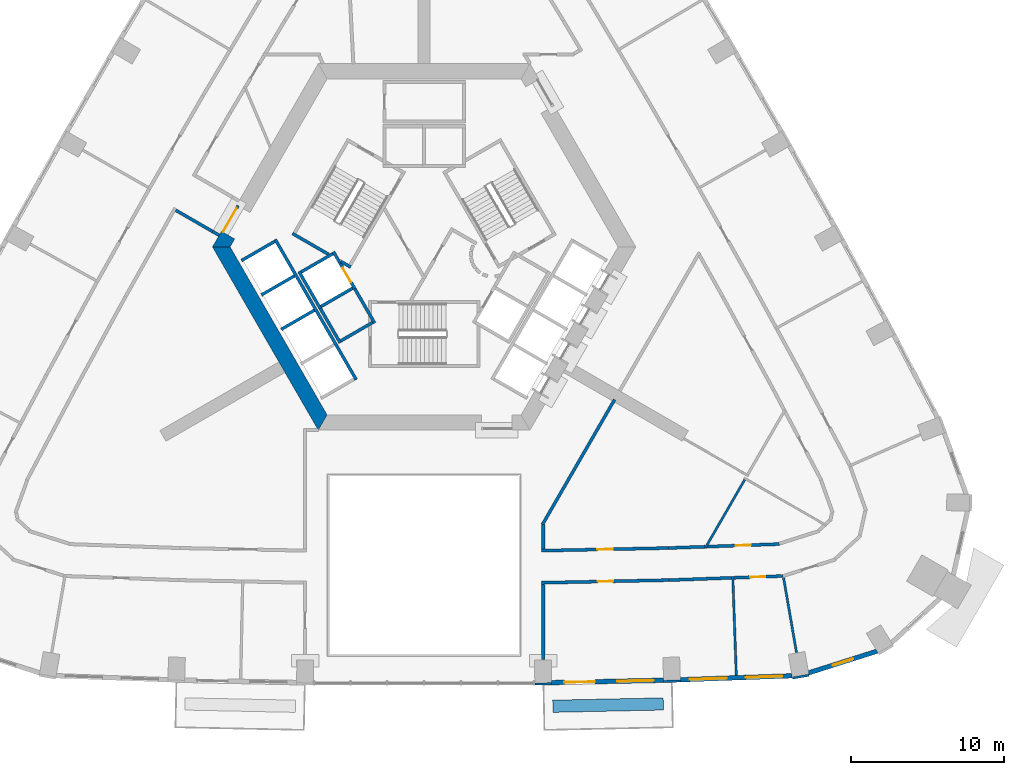
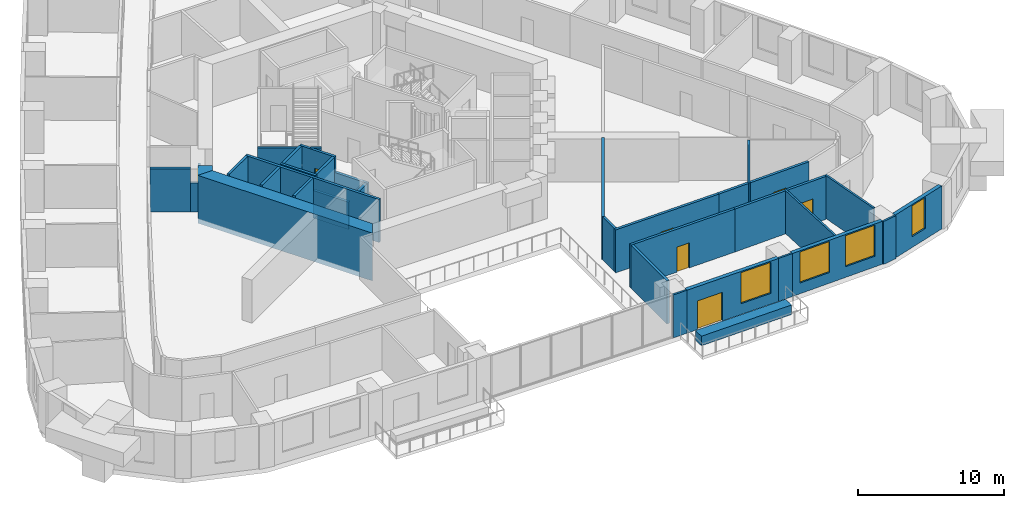
# One storey, part 5 of 14: 37 walls, 7 doors, 4 windows, 11 openings.
"""IFC4 building model written with IfcOpenShell, lengths in metres."""

from ifc_helpers import new_model, si_unit, direction, frame, frame_2d, origin, place, context, subcontext, project, spatial, polyline, rectangle, outline, extrude, material, layer, layer_set, type_object, element, fill, save


model = new_model("IFC4")

# Units and contexts
model_context = context("Model", 3, precision=1e-05, world=origin(), true_north=direction((0.0, 1.0)))
body_context = subcontext(model_context, "Body", "Model", "MODEL_VIEW")
ifc_project = project(units=[si_unit("LENGTHUNIT", "METRE"), si_unit("AREAUNIT", "SQUARE_METRE"), si_unit("VOLUMEUNIT", "CUBIC_METRE"), si_unit("PLANEANGLEUNIT", "RADIAN"), si_unit("MASSUNIT", "GRAM", prefix="KILO")], contexts=[model_context])

# Site, building, storey
site_placement = place(None, origin())
site = spatial("IfcSite", under=ifc_project, at=site_placement, CompositionType="ELEMENT")
building_placement = place(site_placement, origin())
building = spatial("IfcBuilding", under=site, at=building_placement, Name="Entoto Arch Interchange Tower", CompositionType="ELEMENT")
storey_placement = place(building_placement, frame((0.0, 0.0, 180.199951171875)))
storey = spatial("IfcBuildingStorey", under=building, at=storey_placement, Name="L40", CompositionType="ELEMENT", Elevation=180.199951171875)

# Wall, opening, door
ifc_material_1 = material(Name="Reinforced concrete C40/50", Category="concrete")
ifc_layer_1 = layer(ifc_material_1, 0.199951171875)
ifc_layer_set_1 = layer_set([ifc_layer_1], Name="Reinforced concrete C40/50")
wall_type_1 = type_object("IfcWallType", Name="CORE GAP INFILL WALL", PredefinedType="PARTITIONING", material=ifc_layer_set_1)
wall_1_placement = place(storey_placement, frame((-12.179931640625, 5.201904296875, 0.0), z_axis=(0.0, 0.0, 1.0), x_axis=(-0.50002537861, -0.866010750942, 0.0)))
wall_1 = element("IfcWall", 1, at=wall_1_placement, inside=storey, type_object=wall_type_1, Name="wall:L40:gap3", PredefinedType="PARTITIONING", context=body_context, shape_type="SweptSolid", body=[
    extrude(rectangle(XDim=2.0, YDim=0.199951171875, at=frame_2d((1.0, 0.0))), origin(), (0.0, 0.0, 1.0), 2.400146484375),
])
opening_1_placement = place(wall_1_placement, frame((0.18994140625, 0.0, 0.0)))
opening_1 = element("IfcOpeningElement", 2, at=opening_1_placement, cuts=wall_1, Name="Opening L40-D93", PredefinedType="OPENING", context=body_context, shape_type="SweptSolid", body=[
    extrude(rectangle(XDim=1.800048828125, YDim=2.10009765625, at=frame_2d((0.89990234375, 1.050048828125))), frame((0.0, 0.10986328125, 0.0), z_axis=(0.0, -1.0, 0.0), x_axis=(1.0, 0.0, 0.0)), (0.0, 0.0, 1.0), 0.219970703125),
])
ifc_material_2 = material(Name="Fire-rated Steel S235 door and frame", Category="steel")
door_type_1 = type_object("IfcDoorType", Name="DOOR FD-18 1800x2100", OperationType="DOUBLE_DOOR_SINGLE_SWING", PredefinedType="DOOR", material=ifc_material_2)
door_1_placement = place(opening_1_placement, origin())
door_1 = element("IfcDoor", 3, at=door_1_placement, inside=storey, type_object=door_type_1, Name="door:L40:gap3", OperationType="DOUBLE_DOOR_SINGLE_SWING", OverallHeight=2.10009765625, OverallWidth=1.800048828125, PredefinedType="DOOR", context=body_context, shape_type="SweptSolid", body=[
    extrude(rectangle(XDim=1.800048828125, YDim=2.10009765625, at=frame_2d((0.89990234375, 1.050048828125))), frame((0.0, 0.02490234375, 0.0), z_axis=(0.0, -1.0, 0.0), x_axis=(1.0, 0.0, 0.0)), (0.0, 0.0, 1.0), 0.050048828125),
])
fill(opening_1, door_1)

# Walls
ifc_material_3 = material(Name="Concrete C50/60", Category="concrete")
ifc_layer_2 = layer(ifc_material_3, 1.0)
ifc_layer_set_2 = layer_set([ifc_layer_2], Name="Concrete C50/60")
wall_type_2 = type_object("IfcWallType", Name="Core wall 1000 C50/60", PredefinedType="SHEAR", material=ifc_layer_set_2)
wall_2_placement = place(storey_placement, frame((0.0, 0.0, -0.39990234375)))
element("IfcWall", 4, at=wall_2_placement, inside=storey, type_object=wall_type_2, Name="Core wall NW L40", PredefinedType="SHEAR", context=body_context, shape_type="SweptSolid", body=[
    extrude(outline(polyline([(-12.402099609375, 3.02001953125), (-13.26708984375, 3.52001953125), (-13.85595703125, 2.5), (-12.701904296875, 2.5), (-12.402099609375, 3.02001953125)])), origin(), (0.0, 0.0, 1.0), 4.0),
])
wall_3_placement = place(storey_placement, frame((0.0, 0.0, -0.39990234375)))
element("IfcWall", 5, at=wall_3_placement, inside=storey, type_object=wall_type_2, Name="Core wall SW L40", PredefinedType="SHEAR", context=body_context, shape_type="SweptSolid", body=[
    extrude(outline(polyline([(-13.85595703125, 2.5), (-6.927978515625, -9.5), (-6.35107421875, -8.5), (-12.701904296875, 2.5), (-13.85595703125, 2.5)])), origin(), (0.0, 0.0, 1.0), 4.0),
])

# Wall, opening, door
ifc_material_4 = material(Name="Concrete C40/50", Category="concrete")
ifc_layer_3 = layer(ifc_material_4, 0.199951171875)
ifc_layer_set_3 = layer_set([ifc_layer_3], Name="Concrete C40/50")
wall_type_3 = type_object("IfcWallType", Name="LIFT SHAFT WALL 200", PredefinedType="STANDARD", material=ifc_layer_set_3)
wall_4_placement = place(storey_placement, frame((-5.93994140625, 2.18798828125, 0.0), z_axis=(0.0, 0.0, 1.0), x_axis=(0.49994636267, -0.866056369097, 0.0)))
wall_4 = element("IfcWall", 6, at=wall_4_placement, inside=storey, type_object=wall_type_3, Name="Shaft wall SW1 front", PredefinedType="STANDARD", context=body_context, shape_type="SweptSolid", body=[
    extrude(rectangle(XDim=2.800048828125, YDim=0.199951171875, at=frame_2d((1.39990234375, 0.0))), origin(), (0.0, 0.0, 1.0), 3.60009765625),
])
opening_2_placement = place(wall_4_placement, frame((1.22509765625, 0.0, 0.0)))
opening_2 = element("IfcOpeningElement", 7, at=opening_2_placement, cuts=wall_4, Name="Opening LD-FF2-L40", PredefinedType="OPENING", context=body_context, shape_type="SweptSolid", body=[
    extrude(rectangle(XDim=1.10009765625, YDim=2.10009765625, at=frame_2d((0.550048828125, 1.050048828125))), frame((0.0, 0.10986328125, 0.0), z_axis=(0.0, -1.0, 0.0), x_axis=(1.0, 0.0, 0.0)), (0.0, 0.0, 1.0), 0.219970703125),
])
ifc_material_5 = material(Name="Stainless steel 1.4301 panels", Category="steel")
door_type_2 = type_object("IfcDoorType", Name="LIFT LANDING DOOR LD1 1100x2100", OperationType="SLIDING_TO_LEFT", PredefinedType="DOOR", material=ifc_material_5)
door_2_placement = place(opening_2_placement, origin())
door_2 = element("IfcDoor", 8, at=door_2_placement, inside=storey, type_object=door_type_2, Name="Lift landing door FF2 L40", OperationType="SLIDING_TO_LEFT", OverallHeight=2.10009765625, OverallWidth=1.10009765625, PredefinedType="DOOR", context=body_context, shape_type="SweptSolid", body=[
    extrude(rectangle(XDim=1.10009765625, YDim=2.10009765625, at=frame_2d((0.550048828125, 1.050048828125))), frame((0.0, 0.02490234375, 0.0), z_axis=(0.0, -1.0, 0.0), x_axis=(1.0, 0.0, 0.0)), (0.0, 0.0, 1.0), 0.050048828125),
])
fill(opening_2, door_2)

# Walls
wall_5_placement = place(storey_placement, frame((-8.19189453125, 0.887939453125, 0.0), z_axis=(0.0, 0.0, 1.0), x_axis=(0.49994636267, -0.866056369097, 0.0)))
element("IfcWall", 9, at=wall_5_placement, inside=storey, type_object=wall_type_3, Name="Shaft wall SW1 back", PredefinedType="STANDARD", context=body_context, shape_type="SweptSolid", body=[
    extrude(rectangle(XDim=2.800048828125, YDim=0.199951171875, at=frame_2d((1.39990234375, 0.0))), origin(), (0.0, 0.0, 1.0), 3.60009765625),
])
for number, where, z_axis, x_axis, name in (
    (10, (-5.97705078125, 2.052001953125, 0.0), (0.0, 0.0, 1.0), (-0.865973769406, -0.500089422704, 0.0), "Shaft wall SW1 cross 1"),
    (11, (-4.677001953125, -0.199951171875, 0.0), (0.0, 0.0, 1.0), (-0.865973769406, -0.500089422704, 0.0), "Shaft wall SW1 cross 2"),
):
    element("IfcWall", number, at=place(storey_placement, frame(where, z_axis=z_axis, x_axis=x_axis)), inside=storey, type_object=wall_type_3, Name=name, PredefinedType="STANDARD", context=body_context, shape_type="SweptSolid", body=[
        extrude(rectangle(XDim=2.3994140625, YDim=0.199951171875, at=frame_2d((1.19970703125, 0.0))), origin(), (0.0, 0.0, 1.0), 3.60009765625),
    ])
wall_6_placement = place(storey_placement, frame((-9.7509765625, 2.989990234375, 0.0), z_axis=(0.0, 0.0, 1.0), x_axis=(0.50000090737, -0.866024879913, 0.0)))
element("IfcWall", 12, at=wall_6_placement, inside=storey, type_object=wall_type_3, Name="Shaft wall SW3 front", PredefinedType="STANDARD", context=body_context, shape_type="SweptSolid", body=[
    extrude(rectangle(XDim=10.60009765625, YDim=0.199951171875, at=frame_2d((5.300048828125, 0.0))), origin(), (0.0, 0.0, 1.0), 3.60009765625),
])
wall_7_placement = place(storey_placement, frame((-9.7880859375, 2.85302734375, 0.0), z_axis=(0.0, 0.0, 1.0), x_axis=(-0.865998541277, -0.500046524342, 0.0)))
element("IfcWall", 13, at=wall_7_placement, inside=storey, type_object=wall_type_3, Name="Shaft wall SW3 cross 1", PredefinedType="STANDARD", context=body_context, shape_type="SweptSolid", body=[
    extrude(rectangle(XDim=2.499755859375, YDim=0.199951171875, at=frame_2d((1.25, 0.0))), origin(), (0.0, 0.0, 1.0), 3.60009765625),
])
for number, where, z_axis, x_axis, name in (
    (14, (-8.488037109375, 0.60205078125, 0.0), (0.0, 0.0, 1.0), (-0.866022959057, -0.500004234368, 0.0), "Shaft wall SW3 cross 2"),
    (15, (-7.18798828125, -1.64990234375, 0.0), (0.0, 0.0, 1.0), (-0.866022959057, -0.500004234368, 0.0), "Shaft wall SW3 cross 3"),
):
    element("IfcWall", number, at=place(storey_placement, frame(where, z_axis=z_axis, x_axis=x_axis)), inside=storey, type_object=wall_type_3, Name=name, PredefinedType="STANDARD", context=body_context, shape_type="SweptSolid", body=[
        extrude(rectangle(XDim=2.5, YDim=0.199951171875, at=frame_2d((1.25, 0.0))), origin(), (0.0, 0.0, 1.0), 3.60009765625),
    ])
wall_8_placement = place(storey_placement, frame((-4.639892578125, -0.06298828125, 0.0), z_axis=(0.0, 0.0, 1.0), x_axis=(0.49994636267, -0.866056369097, 0.0)))
element("IfcWall", 16, at=wall_8_placement, inside=storey, type_object=wall_type_3, Name="Pit wall HR4 1", PredefinedType="STANDARD", context=body_context, shape_type="SweptSolid", body=[
    extrude(rectangle(XDim=2.800048828125, YDim=0.199951171875, at=frame_2d((1.39990234375, 0.0))), origin(), (0.0, 0.0, 1.0), 2.300048828125),
])
wall_9_placement = place(storey_placement, frame((-6.89208984375, -1.363037109375, 0.0), z_axis=(0.0, 0.0, 1.0), x_axis=(0.500011755427, -0.866018616679, 0.0)))
element("IfcWall", 17, at=wall_9_placement, inside=storey, type_object=wall_type_3, Name="Pit wall HR4 2", PredefinedType="STANDARD", context=body_context, shape_type="SweptSolid", body=[
    extrude(rectangle(XDim=2.80029296875, YDim=0.199951171875, at=frame_2d((1.400146484375, 0.0))), origin(), (0.0, 0.0, 1.0), 2.300048828125),
])
wall_10_placement = place(storey_placement, frame((-3.376953125, -2.451904296875, 0.0), z_axis=(0.0, 0.0, 1.0), x_axis=(-0.865955154139, -0.50012165622, 0.0)))
element("IfcWall", 18, at=wall_10_placement, inside=storey, type_object=wall_type_3, Name="Pit wall HR4 4", PredefinedType="STANDARD", context=body_context, shape_type="SweptSolid", body=[
    extrude(rectangle(XDim=2.39990234375, YDim=0.199951171875, at=frame_2d((1.199951171875, 0.0))), origin(), (0.0, 0.0, 1.0), 2.300048828125),
])
ifc_material_6 = material(Name="Gypsum board partition on steel studs", Category="steel")
ifc_layer_4 = layer(ifc_material_6, 0.14990234375)
ifc_layer_set_4 = layer_set([ifc_layer_4], Name="Gypsum board partition on steel studs")
wall_type_4 = type_object("IfcWallType", Name="PARTITION 150", PredefinedType="PARTITIONING", material=ifc_layer_set_4)
wall_11_placement = place(storey_placement, frame((21.00390625, -12.718994140625, 0.0), z_axis=(0.0, 0.0, 1.0), x_axis=(-0.499877157623, -0.866096315249, 0.0)))
element("IfcWall", 19, at=wall_11_placement, inside=storey, type_object=wall_type_4, Name="wall:L40:p109", PredefinedType="PARTITIONING", context=body_context, shape_type="SweptSolid", body=[
    extrude(rectangle(XDim=5.191162109375, YDim=0.14990234375, at=frame_2d((2.595703125, 0.0))), origin(), (0.0, 0.0, 1.0), 3.60009765625),
])
wall_12_placement = place(storey_placement, frame((20.2099609375, -19.06689453125, 0.0), z_axis=(0.0, 0.0, 1.0), x_axis=(0.035530768169, -0.999368582913, 0.0)))
element("IfcWall", 20, at=wall_12_placement, inside=storey, type_object=wall_type_4, Name="wall:L40:p112", PredefinedType="PARTITIONING", context=body_context, shape_type="SweptSolid", body=[
    extrude(rectangle(XDim=6.500244140625, YDim=0.14990234375, at=frame_2d((3.25, 0.0))), origin(), (0.0, 0.0, 1.0), 3.60009765625),
])
wall_13_placement = place(storey_placement, frame((23.498046875, -18.949951171875, 0.0), z_axis=(0.0, 0.0, 1.0), x_axis=(0.170609023531, -0.985338805229, 0.0)))
element("IfcWall", 21, at=wall_13_placement, inside=storey, type_object=wall_type_4, Name="wall:L40:p113", PredefinedType="PARTITIONING", context=body_context, shape_type="SweptSolid", body=[
    extrude(rectangle(XDim=5.193115234375, YDim=0.14990234375, at=frame_2d((2.5966796875, 0.0))), origin(), (0.0, 0.0, 1.0), 3.60009765625),
])

# Wall, opening, door
ifc_layer_5 = layer(ifc_material_6, 0.199951171875)
ifc_layer_set_5 = layer_set([ifc_layer_5], Name="Gypsum board partition on steel studs")
wall_type_5 = type_object("IfcWallType", Name="PARTITION 200", PredefinedType="PARTITIONING", material=ifc_layer_set_5)
wall_14_placement = place(storey_placement, frame((7.699951171875, -17.388916015625, 0.0), z_axis=(0.0, 0.0, 1.0), x_axis=(0.999782442794, 0.020858261713, 0.0)))
wall_14 = element("IfcWall", 22, at=wall_14_placement, inside=storey, type_object=wall_type_5, Name="wall:L40:p020", PredefinedType="PARTITIONING", context=body_context, shape_type="SweptSolid", body=[
    extrude(rectangle(XDim=8.286865234375, YDim=0.199951171875, at=frame_2d((4.1435546875, 0.0))), origin(), (0.0, 0.0, 1.0), 3.60009765625),
])
opening_3_placement = place(wall_14_placement, frame((3.64404296875, 0.0, 0.0)))
opening_3 = element("IfcOpeningElement", 23, at=opening_3_placement, cuts=wall_14, Name="Opening L40-D19", PredefinedType="OPENING", context=body_context, shape_type="SweptSolid", body=[
    extrude(rectangle(XDim=1.0, YDim=2.10009765625, at=frame_2d((0.5, 1.050048828125))), frame((0.0, 0.10986328125, 0.0), z_axis=(0.0, -1.0, 0.0), x_axis=(1.0, 0.0, 0.0)), (0.0, 0.0, 1.0), 0.219970703125),
])
ifc_material_7 = material(Name="Timber door leaf in Steel S235 frame", Category="steel")
door_type_3 = type_object("IfcDoorType", Name="DOOR DS-10 1000x2100", OperationType="SINGLE_SWING_LEFT", PredefinedType="DOOR", material=ifc_material_7)
door_3_placement = place(opening_3_placement, origin())
door_3 = element("IfcDoor", 24, at=door_3_placement, inside=storey, type_object=door_type_3, Name="door:L40:19", OperationType="SINGLE_SWING_RIGHT", OverallHeight=2.10009765625, OverallWidth=1.0, PredefinedType="DOOR", context=body_context, shape_type="SweptSolid", body=[
    extrude(rectangle(XDim=1.0, YDim=2.10009765625, at=frame_2d((0.5, 1.050048828125))), frame((0.0, 0.02490234375, 0.0), z_axis=(0.0, -1.0, 0.0), x_axis=(1.0, 0.0, 0.0)), (0.0, 0.0, 1.0), 0.050048828125),
])
fill(opening_3, door_3)

# Wall
wall_15_placement = place(storey_placement, frame((15.985107421875, -17.216064453125, 0.0), z_axis=(0.0, 0.0, 1.0), x_axis=(0.999373434249, 0.035394052017, 0.0)))
element("IfcWall", 25, at=wall_15_placement, inside=storey, type_object=wall_type_5, Name="wall:L40:p021", PredefinedType="PARTITIONING", context=body_context, shape_type="SweptSolid", body=[
    extrude(rectangle(XDim=2.400390625, YDim=0.199951171875, at=frame_2d((1.2001953125, 0.0))), origin(), (0.0, 0.0, 1.0), 3.60009765625),
])

# Wall, opening, door
wall_16_placement = place(storey_placement, frame((18.533935546875, -17.125, 0.0), z_axis=(0.0, 0.0, 1.0), x_axis=(0.999367128298, 0.035571658351, 0.0)))
wall_16 = element("IfcWall", 26, at=wall_16_placement, inside=storey, type_object=wall_type_5, Name="wall:L40:p025", PredefinedType="PARTITIONING", context=body_context, shape_type="SweptSolid", body=[
    extrude(rectangle(XDim=4.721923828125, YDim=0.199951171875, at=frame_2d((2.36083984375, 0.0))), origin(), (0.0, 0.0, 1.0), 3.60009765625),
])
opening_4_placement = place(wall_16_placement, frame((1.861083984375, 0.0, 0.0)))
opening_4 = element("IfcOpeningElement", 27, at=opening_4_placement, cuts=wall_16, Name="Opening L40-D21", PredefinedType="OPENING", context=body_context, shape_type="SweptSolid", body=[
    extrude(rectangle(XDim=1.0, YDim=2.10009765625, at=frame_2d((0.5, 1.050048828125))), frame((0.0, 0.10986328125, 0.0), z_axis=(0.0, -1.0, 0.0), x_axis=(1.0, 0.0, 0.0)), (0.0, 0.0, 1.0), 0.219970703125),
])
door_4_placement = place(opening_4_placement, origin())
door_4 = element("IfcDoor", 28, at=door_4_placement, inside=storey, type_object=door_type_3, Name="door:L40:21", OperationType="SINGLE_SWING_LEFT", OverallHeight=2.10009765625, OverallWidth=1.0, PredefinedType="DOOR", context=body_context, shape_type="SweptSolid", body=[
    extrude(rectangle(XDim=1.0, YDim=2.10009765625, at=frame_2d((0.5, 1.050048828125))), frame((0.0, 0.02490234375, 0.0), z_axis=(0.0, -1.0, 0.0), x_axis=(1.0, 0.0, 0.0)), (0.0, 0.0, 1.0), 0.050048828125),
])
fill(opening_4, door_4)

# Walls
wall_17_placement = place(storey_placement, frame((-13.4169921875, 3.260009765625, 0.0), z_axis=(0.0, 0.0, 1.0), x_axis=(-0.866071776036, 0.499919672301, 0.0)))
element("IfcWall", 29, at=wall_17_placement, inside=storey, type_object=wall_type_5, Name="wall:L40:p039", PredefinedType="PARTITIONING", context=body_context, shape_type="SweptSolid", body=[
    extrude(rectangle(XDim=0.5, YDim=0.199951171875, at=frame_2d((0.25, 0.0))), origin(), (0.0, 0.0, 1.0), 2.400146484375),
])
wall_18_placement = place(storey_placement, frame((20.137939453125, -19.1689453125, 0.0), z_axis=(0.0, 0.0, 1.0), x_axis=(-0.999355925453, -0.035885014442, 0.0)))
element("IfcWall", 30, at=wall_18_placement, inside=storey, type_object=wall_type_5, Name="wall:L40:p042", PredefinedType="PARTITIONING", context=body_context, shape_type="SweptSolid", body=[
    extrude(rectangle(XDim=4.095703125, YDim=0.199951171875, at=frame_2d((2.0478515625, 0.0))), origin(), (0.0, 0.0, 1.0), 3.60009765625),
])

# Wall, opening, door
wall_19_placement = place(storey_placement, frame((16.044921875, -19.31591796875, 0.0), z_axis=(0.0, 0.0, 1.0), x_axis=(-0.99978251073, -0.020855005124, 0.0)))
wall_19 = element("IfcWall", 31, at=wall_19_placement, inside=storey, type_object=wall_type_5, Name="wall:L40:p043", PredefinedType="PARTITIONING", context=body_context, shape_type="SweptSolid", body=[
    extrude(rectangle(XDim=8.3466796875, YDim=0.199951171875, at=frame_2d((4.17333984375, 0.0))), origin(), (0.0, 0.0, 1.0), 3.60009765625),
])
opening_5_placement = place(wall_19_placement, frame((3.673095703125, 0.0, 0.0)))
opening_5 = element("IfcOpeningElement", 32, at=opening_5_placement, cuts=wall_19, Name="Opening L40-D01", PredefinedType="OPENING", context=body_context, shape_type="SweptSolid", body=[
    extrude(rectangle(XDim=1.0, YDim=2.10009765625, at=frame_2d((0.5, 1.050048828125))), frame((0.0, 0.10986328125, 0.0), z_axis=(0.0, -1.0, 0.0), x_axis=(1.0, 0.0, 0.0)), (0.0, 0.0, 1.0), 0.219970703125),
])
door_5_placement = place(opening_5_placement, origin())
door_5 = element("IfcDoor", 33, at=door_5_placement, inside=storey, type_object=door_type_3, Name="door:L40:01", OperationType="SINGLE_SWING_RIGHT", OverallHeight=2.10009765625, OverallWidth=1.0, PredefinedType="DOOR", context=body_context, shape_type="SweptSolid", body=[
    extrude(rectangle(XDim=1.0, YDim=2.10009765625, at=frame_2d((0.5, 1.050048828125))), frame((0.0, 0.02490234375, 0.0), z_axis=(0.0, -1.0, 0.0), x_axis=(1.0, 0.0, 0.0)), (0.0, 0.0, 1.0), 0.050048828125),
])
fill(opening_5, door_5)

wall_20_placement = place(storey_placement, frame((23.4150390625, -19.052001953125, 0.0), z_axis=(0.0, 0.0, 1.0), x_axis=(-0.999358473407, -0.035813986516, 0.0)))
wall_20 = element("IfcWall", 34, at=wall_20_placement, inside=storey, type_object=wall_type_5, Name="wall:L40:p044", PredefinedType="PARTITIONING", context=body_context, shape_type="SweptSolid", body=[
    extrude(rectangle(XDim=3.12890625, YDim=0.199951171875, at=frame_2d((1.564453125, 0.0))), origin(), (0.0, 0.0, 1.0), 3.60009765625),
])
opening_6_placement = place(wall_20_placement, frame((1.06494140625, 0.0, 0.0)))
opening_6 = element("IfcOpeningElement", 35, at=opening_6_placement, cuts=wall_20, Name="Opening L40-D02", PredefinedType="OPENING", context=body_context, shape_type="SweptSolid", body=[
    extrude(rectangle(XDim=1.0, YDim=2.10009765625, at=frame_2d((0.5, 1.050048828125))), frame((0.0, 0.10986328125, 0.0), z_axis=(0.0, -1.0, 0.0), x_axis=(1.0, 0.0, 0.0)), (0.0, 0.0, 1.0), 0.219970703125),
])
door_6_placement = place(opening_6_placement, origin())
door_6 = element("IfcDoor", 36, at=door_6_placement, inside=storey, type_object=door_type_3, Name="door:L40:02", OperationType="SINGLE_SWING_LEFT", OverallHeight=2.10009765625, OverallWidth=1.0, PredefinedType="DOOR", context=body_context, shape_type="SweptSolid", body=[
    extrude(rectangle(XDim=1.0, YDim=2.10009765625, at=frame_2d((0.5, 1.050048828125))), frame((0.0, 0.02490234375, 0.0), z_axis=(0.0, -1.0, 0.0), x_axis=(1.0, 0.0, 0.0)), (0.0, 0.0, 1.0), 0.050048828125),
])
fill(opening_6, door_6)

# Walls
wall_21_placement = place(storey_placement, frame((7.800048828125, -15.68994140625, 0.0), z_axis=(0.0, 0.0, 1.0), x_axis=(0.0, -1.0, 0.0)))
element("IfcWall", 37, at=wall_21_placement, inside=storey, type_object=wall_type_5, Name="wall:L40:p096", PredefinedType="PARTITIONING", context=body_context, shape_type="SweptSolid", body=[
    extrude(rectangle(XDim=1.59716796875, YDim=0.199951171875, at=frame_2d((0.798583984375, 0.0))), origin(), (0.0, 0.0, 1.0), 3.60009765625),
])
wall_22_placement = place(storey_placement, frame((7.800048828125, -19.587890625, 0.0), z_axis=(0.0, 0.0, 1.0), x_axis=(0.0, -1.0, 0.0)))
element("IfcWall", 38, at=wall_22_placement, inside=storey, type_object=wall_type_5, Name="wall:L40:p099", PredefinedType="PARTITIONING", context=body_context, shape_type="SweptSolid", body=[
    extrude(rectangle(XDim=4.93115234375, YDim=0.199951171875, at=frame_2d((2.465576171875, 0.0))), origin(), (0.0, 0.0, 1.0), 3.60009765625),
])
wall_23_placement = place(storey_placement, frame((12.47607421875, -7.490966796875, 0.0), z_axis=(0.0, 0.0, 1.0), x_axis=(-0.499989258007, -0.866031605588, 0.0)))
element("IfcWall", 39, at=wall_23_placement, inside=storey, type_object=wall_type_5, Name="wall:L40:p101", PredefinedType="PARTITIONING", context=body_context, shape_type="SweptSolid", body=[
    extrude(rectangle(XDim=9.452392578125, YDim=0.199951171875, at=frame_2d((4.72607421875, 0.0))), origin(), (0.0, 0.0, 1.0), 3.60009765625),
])
wall_24_placement = place(storey_placement, frame((-13.85009765625, 3.510009765625, 0.0), z_axis=(0.0, 0.0, 1.0), x_axis=(-0.866087780421, 0.49989194493, 0.0)))
element("IfcWall", 40, at=wall_24_placement, inside=storey, type_object=wall_type_5, Name="wall:L40:p039", PredefinedType="PARTITIONING", context=body_context, shape_type="SweptSolid", body=[
    extrude(rectangle(XDim=2.78466796875, YDim=0.199951171875, at=frame_2d((1.392333984375, 0.0))), origin(), (0.0, 0.0, 1.0), 3.60009765625),
])
ifc_material_8 = material(Name="Board-marked precast concrete C50/60", Category="concrete")
ifc_layer_6 = layer(ifc_material_8, 0.800048828125)
ifc_layer_set_6 = layer_set([ifc_layer_6], Name="Board-marked precast concrete C50/60")
wall_type_6 = type_object("IfcWallType", Name="PLANTER RC 800 Afrocarpus falcatus", PredefinedType="STANDARD", material=ifc_layer_set_6)
wall_25_placement = place(storey_placement, frame((8.428955078125, -27.575927734375, 0.0), z_axis=(0.0, 0.0, 1.0), x_axis=(0.999782573398, 0.02085200062, 0.0)))
element("IfcWall", 41, at=wall_25_placement, inside=storey, type_object=wall_type_6, Name="Planter S-04 L40", PredefinedType="STANDARD", context=body_context, shape_type="SweptSolid", body=[
    extrude(rectangle(XDim=7.235595703125, YDim=0.800048828125, at=frame_2d((3.61767578125, 0.0))), origin(), (0.0, 0.0, 1.0), 0.800048828125),
])
ifc_layer_7 = layer(ifc_material_4, 0.199951171875)
ifc_layer_set_7 = layer_set([ifc_layer_7], Name="Concrete C40/50")
wall_type_7 = type_object("IfcWallType", Name="STAIR ENCLOSURE WALL 200", PredefinedType="STANDARD", material=ifc_layer_set_7)
wall_26_placement = place(storey_placement, frame((-6.25, 2.010009765625, 0.0), z_axis=(0.0, 0.0, 1.0), x_axis=(-0.86611865017, 0.499838457731, 0.0)))
element("IfcWall", 42, at=wall_26_placement, inside=storey, type_object=wall_type_7, Name="Stair wall ST-NW far", PredefinedType="STANDARD", context=body_context, shape_type="SweptSolid", body=[
    extrude(rectangle(XDim=2.73291015625, YDim=0.199951171875, at=frame_2d((1.366455078125, 0.0))), origin(), (0.0, 0.0, 1.0), 3.60009765625),
])
wall_27_placement = place(storey_placement, frame((-4.805908203125, 1.176025390625, 0.0), z_axis=(0.0, 0.0, 1.0), x_axis=(-0.866558586415, 0.499075361355, 0.0)))
element("IfcWall", 43, at=wall_27_placement, inside=storey, type_object=wall_type_7, Name="Stair wall ST-NW far return", PredefinedType="STANDARD", context=body_context, shape_type="SweptSolid", body=[
    extrude(rectangle(XDim=0.75146484375, YDim=0.199951171875, at=frame_2d((0.375732421875, 0.0))), origin(), (0.0, 0.0, 1.0), 3.60009765625),
])

# Wall, openings, door, window
ifc_material_9 = material(Name="Welded tuff (ignimbrite) cladding, warm buff", Category="masonry")
ifc_layer_8 = layer(ifc_material_9, 0.300048828125)
ifc_layer_set_8 = layer_set([ifc_layer_8], Name="Welded tuff (ignimbrite) cladding, warm buff")
wall_type_8 = type_object("IfcWallType", Name="STONE INFILL WALL 300", PredefinedType="STANDARD", material=ifc_layer_set_8)
wall_28_placement = place(storey_placement, frame((8.346923828125, -26.028076171875, 0.0), z_axis=(0.0, 0.0, 1.0), x_axis=(0.999782189413, 0.020870403275, 0.0)))
wall_28 = element("IfcWall", 44, at=wall_28_placement, inside=storey, type_object=wall_type_8, Name="Facade wall S-04 L40", PredefinedType="STANDARD", context=body_context, shape_type="SweptSolid", body=[
    extrude(rectangle(XDim=7.334716796875, YDim=0.300048828125, at=frame_2d((3.66748046875, 0.0))), origin(), (0.0, 0.0, 1.0), 3.60009765625),
])
opening_7_placement = place(wall_28_placement, frame((0.833984375, 0.0, 0.0)))
opening_7 = element("IfcOpeningElement", 45, at=opening_7_placement, cuts=wall_28, Name="Opening DB-S-04-L40", PredefinedType="OPENING", context=body_context, shape_type="SweptSolid", body=[
    extrude(rectangle(XDim=2.0, YDim=2.39990234375, at=frame_2d((1.0, 1.199951171875))), frame((0.0, 0.16015625, 0.0), z_axis=(0.0, -1.0, 0.0), x_axis=(1.0, 0.0, 0.0)), (0.0, 0.0, 1.0), 0.320068359375),
])
opening_8_placement = place(wall_28_placement, frame((4.301025390625, 0.0, 0.89990234375)))
opening_8 = element("IfcOpeningElement", 46, at=opening_8_placement, cuts=wall_28, Name="Opening WO-A", PredefinedType="OPENING", context=body_context, shape_type="SweptSolid", body=[
    extrude(rectangle(XDim=2.39990234375, YDim=2.60009765625, at=frame_2d((1.199951171875, 1.300048828125))), frame((0.0, 0.16015625, 0.0), z_axis=(0.0, -1.0, 0.0), x_axis=(1.0, 0.0, 0.0)), (0.0, 0.0, 1.0), 0.320068359375),
])
ifc_material_10 = material(Name="Aluminium and clear glass, anodised", Category="aluminium")
door_type_4 = type_object("IfcDoorType", Name="BALCONY DOOR DB 2000x2400", OperationType="SLIDING_TO_LEFT", PredefinedType="DOOR", material=ifc_material_10)
door_7_placement = place(opening_7_placement, origin())
door_7 = element("IfcDoor", 47, at=door_7_placement, inside=storey, type_object=door_type_4, Name="Balcony door S-04 L40", OperationType="SLIDING_TO_LEFT", OverallHeight=2.39990234375, OverallWidth=2.0, PredefinedType="DOOR", context=body_context, shape_type="SweptSolid", body=[
    extrude(rectangle(XDim=2.0, YDim=2.39990234375, at=frame_2d((1.0, 1.199951171875))), frame((0.0, 0.02490234375, 0.0), z_axis=(0.0, -1.0, 0.0), x_axis=(1.0, 0.0, 0.0)), (0.0, 0.0, 1.0), 0.050048828125),
])
fill(opening_7, door_7)
ifc_material_11 = material(Name="Clear glass, low-e double glazed", Category="glass")
window_type_1 = type_object("IfcWindowType", Name="WINDOW WO-A 2400x2600", PartitioningType="DOUBLE_PANEL_VERTICAL", PredefinedType="WINDOW", material=ifc_material_11)
window_1_placement = place(opening_8_placement, origin())
window_1 = element("IfcWindow", 48, at=window_1_placement, inside=storey, type_object=window_type_1, Name="Window WO-A S-04 L40", OverallHeight=2.60009765625, OverallWidth=2.39990234375, PartitioningType="SINGLE_PANEL", PredefinedType="WINDOW", context=body_context, shape_type="SweptSolid", body=[
    extrude(rectangle(XDim=2.39990234375, YDim=2.60009765625, at=frame_2d((1.199951171875, 1.300048828125))), frame((0.0, 0.030029296875, 0.0), z_axis=(0.0, -1.0, 0.0), x_axis=(1.0, 0.0, 0.0)), (0.0, 0.0, 1.0), 0.06005859375),
])
fill(opening_8, window_1)

# Wall, openings, windows
wall_29_placement = place(storey_placement, frame((16.778076171875, -25.843017578125, 0.0), z_axis=(0.0, 0.0, 1.0), x_axis=(0.999368368263, 0.035536805082, 0.0)))
wall_29 = element("IfcWall", 49, at=wall_29_placement, inside=storey, type_object=wall_type_8, Name="Facade wall S-05 L40", PredefinedType="STANDARD", context=body_context, shape_type="SweptSolid", body=[
    extrude(rectangle(XDim=7.316650390625, YDim=0.300048828125, at=frame_2d((3.658203125, 0.0))), origin(), (0.0, 0.0, 1.0), 3.60009765625),
])
opening_9_placement = place(wall_29_placement, frame((0.62890625, 0.0, 0.89990234375)))
opening_9 = element("IfcOpeningElement", 50, at=opening_9_placement, cuts=wall_29, Name="Opening WO-A", PredefinedType="OPENING", context=body_context, shape_type="SweptSolid", body=[
    extrude(rectangle(XDim=2.39990234375, YDim=2.60009765625, at=frame_2d((1.199951171875, 1.300048828125))), frame((0.0, 0.16015625, 0.0), z_axis=(0.0, -1.0, 0.0), x_axis=(1.0, 0.0, 0.0)), (0.0, 0.0, 1.0), 0.320068359375),
])
opening_10_placement = place(wall_29_placement, frame((4.287109375, 0.0, 0.89990234375)))
opening_10 = element("IfcOpeningElement", 51, at=opening_10_placement, cuts=wall_29, Name="Opening WO-A", PredefinedType="OPENING", context=body_context, shape_type="SweptSolid", body=[
    extrude(rectangle(XDim=2.39990234375, YDim=2.60009765625, at=frame_2d((1.199951171875, 1.300048828125))), frame((0.0, 0.16015625, 0.0), z_axis=(0.0, -1.0, 0.0), x_axis=(1.0, 0.0, 0.0)), (0.0, 0.0, 1.0), 0.320068359375),
])
window_2_placement = place(opening_9_placement, origin())
window_2 = element("IfcWindow", 52, at=window_2_placement, inside=storey, type_object=window_type_1, Name="Window WO-A S-05 L40", OverallHeight=2.60009765625, OverallWidth=2.39990234375, PartitioningType="SINGLE_PANEL", PredefinedType="WINDOW", context=body_context, shape_type="SweptSolid", body=[
    extrude(rectangle(XDim=2.39990234375, YDim=2.60009765625, at=frame_2d((1.199951171875, 1.300048828125))), frame((0.0, 0.030029296875, 0.0), z_axis=(0.0, -1.0, 0.0), x_axis=(1.0, 0.0, 0.0)), (0.0, 0.0, 1.0), 0.06005859375),
])
fill(opening_9, window_2)
window_3_placement = place(opening_10_placement, origin())
window_3 = element("IfcWindow", 53, at=window_3_placement, inside=storey, type_object=window_type_1, Name="Window WO-A S-05 L40", OverallHeight=2.60009765625, OverallWidth=2.39990234375, PartitioningType="SINGLE_PANEL", PredefinedType="WINDOW", context=body_context, shape_type="SweptSolid", body=[
    extrude(rectangle(XDim=2.39990234375, YDim=2.60009765625, at=frame_2d((1.199951171875, 1.300048828125))), frame((0.0, 0.030029296875, 0.0), z_axis=(0.0, -1.0, 0.0), x_axis=(1.0, 0.0, 0.0)), (0.0, 0.0, 1.0), 0.06005859375),
])
fill(opening_10, window_3)

# Wall, opening, window
wall_30_placement = place(storey_placement, frame((25.172119140625, -25.39501953125, 0.0), z_axis=(0.0, 0.0, 1.0), x_axis=(0.953145379857, 0.302512619337, 0.0)))
wall_30 = element("IfcWall", 54, at=wall_30_placement, inside=storey, type_object=wall_type_8, Name="Facade wall SE-01 L40", PredefinedType="STANDARD", context=body_context, shape_type="SweptSolid", body=[
    extrude(rectangle(XDim=4.710693359375, YDim=0.300048828125, at=frame_2d((2.35546875, 0.0))), origin(), (0.0, 0.0, 1.0), 3.60009765625),
])
opening_11_placement = place(wall_30_placement, frame((1.655029296875, 0.0, 0.89990234375)))
opening_11 = element("IfcOpeningElement", 55, at=opening_11_placement, cuts=wall_30, Name="Opening WO-B", PredefinedType="OPENING", context=body_context, shape_type="SweptSolid", body=[
    extrude(rectangle(XDim=1.39990234375, YDim=2.60009765625, at=frame_2d((0.699951171875, 1.300048828125))), frame((0.0, 0.16015625, 0.0), z_axis=(0.0, -1.0, 0.0), x_axis=(1.0, 0.0, 0.0)), (0.0, 0.0, 1.0), 0.320068359375),
])
window_type_2 = type_object("IfcWindowType", Name="WINDOW WO-B 1400x2600", PartitioningType="DOUBLE_PANEL_VERTICAL", PredefinedType="WINDOW", material=ifc_material_11)
window_4_placement = place(opening_11_placement, origin())
window_4 = element("IfcWindow", 56, at=window_4_placement, inside=storey, type_object=window_type_2, Name="Window WO-B SE-01 L40", OverallHeight=2.60009765625, OverallWidth=1.39990234375, PartitioningType="SINGLE_PANEL", PredefinedType="WINDOW", context=body_context, shape_type="SweptSolid", body=[
    extrude(rectangle(XDim=1.39990234375, YDim=2.60009765625, at=frame_2d((0.699951171875, 1.300048828125))), frame((0.0, 0.030029296875, 0.0), z_axis=(0.0, -1.0, 0.0), x_axis=(1.0, 0.0, 0.0)), (0.0, 0.0, 1.0), 0.06005859375),
])
fill(opening_11, window_4)

# Walls
ifc_layer_9 = layer(ifc_material_9, 0.14990234375)
ifc_layer_set_9 = layer_set([ifc_layer_9], Name="Welded tuff (ignimbrite) cladding, warm buff")
wall_type_9 = type_object("IfcWallType", Name="STONE PIER CLADDING 150", PredefinedType="STANDARD", material=ifc_layer_set_9)
wall_31_placement = place(storey_placement, frame((7.2490234375, -26.1201171875, 0.0), z_axis=(0.0, 0.0, 1.0), x_axis=(0.99993844157, 0.011095632951, 0.0)))
element("IfcWall", 57, at=wall_31_placement, inside=storey, type_object=wall_type_9, Name="Stone pier S04 L40", PredefinedType="STANDARD", context=body_context, shape_type="SweptSolid", body=[
    extrude(rectangle(XDim=1.10009765625, YDim=0.14990234375, at=frame_2d((0.550048828125, 0.0))), origin(), (0.0, 0.0, 1.0), 3.60009765625),
])
wall_32_placement = place(storey_placement, frame((15.681884765625, -25.955078125, 0.0), z_axis=(0.0, 0.0, 1.0), x_axis=(0.99951682968, 0.031082264806, 0.0)))
element("IfcWall", 58, at=wall_32_placement, inside=storey, type_object=wall_type_9, Name="Stone pier S05 L40", PredefinedType="STANDARD", context=body_context, shape_type="SweptSolid", body=[
    extrude(rectangle(XDim=1.099609375, YDim=0.14990234375, at=frame_2d((0.5498046875, 0.0))), origin(), (0.0, 0.0, 1.0), 3.60009765625),
])
wall_33_placement = place(storey_placement, frame((24.114013671875, -25.73095703125, 0.0), z_axis=(0.0, 0.0, 1.0), x_axis=(0.985763338892, 0.168138751323, 0.0)))
element("IfcWall", 59, at=wall_33_placement, inside=storey, type_object=wall_type_9, Name="Stone pier S06 L40", PredefinedType="STANDARD", context=body_context, shape_type="SweptSolid", body=[
    extrude(rectangle(XDim=1.1005859375, YDim=0.14990234375, at=frame_2d((0.55029296875, 0.0))), origin(), (0.0, 0.0, 1.0), 3.60009765625),
])

save(model, "model.ifc")
